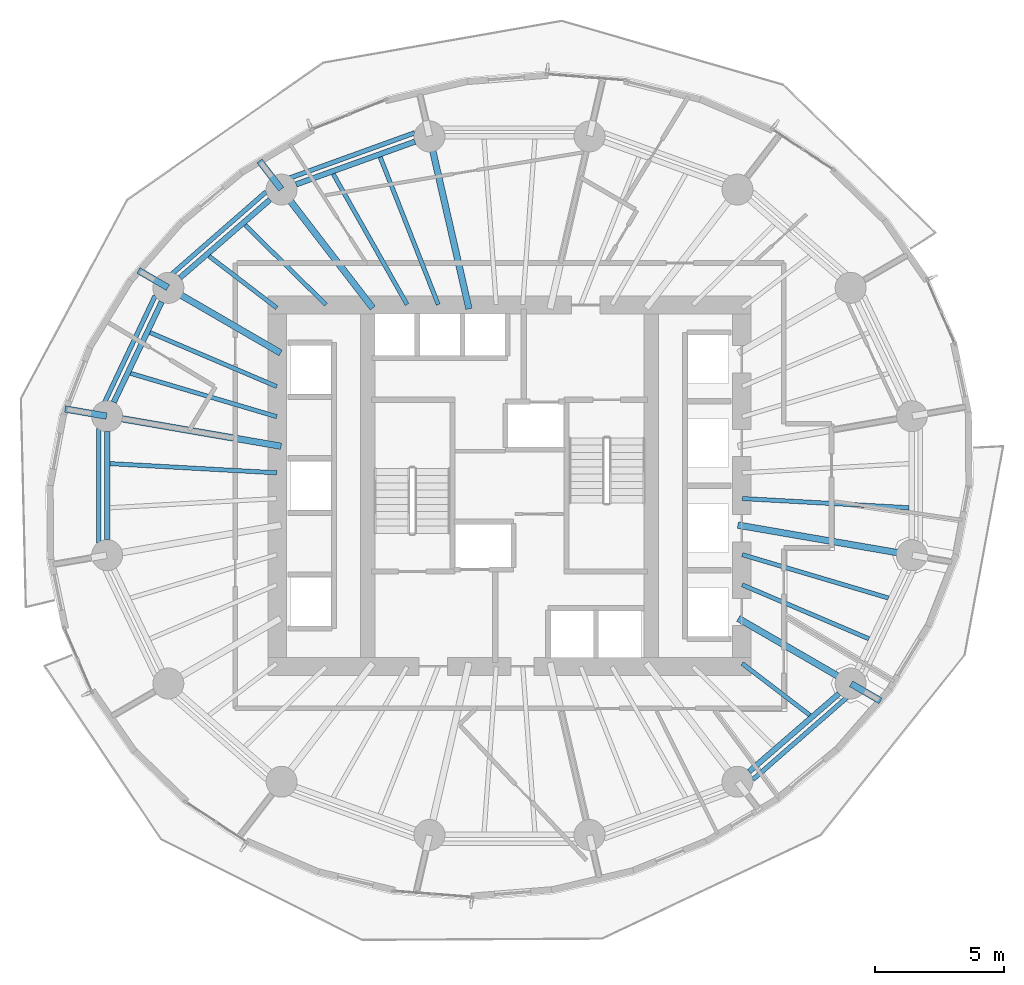
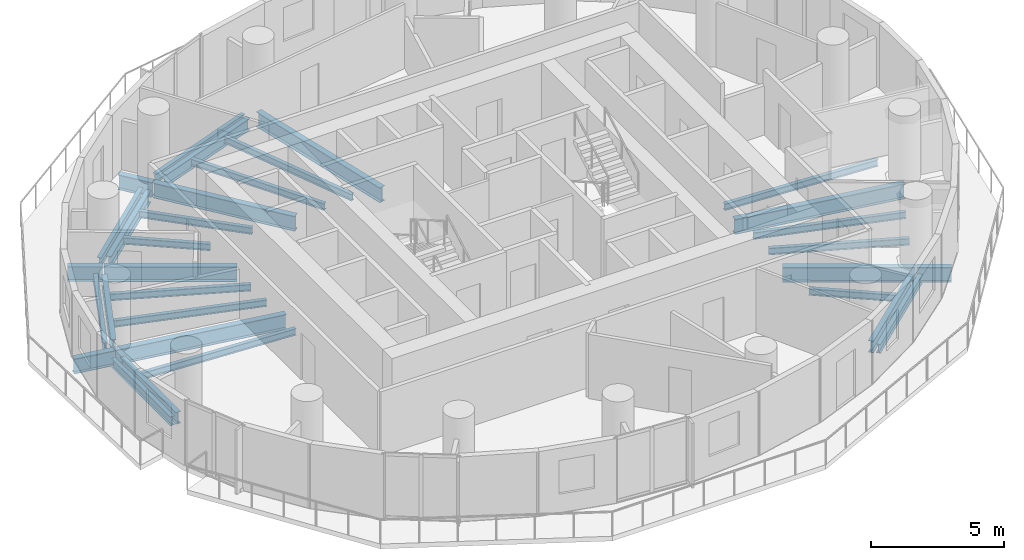
# One storey, part 3 of 14: 31 beams.
"""IFC4 building model written with IfcOpenShell, lengths in metres."""

from ifc_helpers import new_model, si_unit, direction, frame, origin, origin_2d, place, context, subcontext, project, spatial, i_section, extrude, material, material_profile, profile_set, type_object, element, save


model = new_model("IFC4")

# Units and contexts
model_context = context("Model", 3, precision=1e-05, world=origin(), true_north=direction((0.0, 1.0)))
body_context = subcontext(model_context, "Body", "Model", "MODEL_VIEW")
ifc_project = project(units=[si_unit("LENGTHUNIT", "METRE"), si_unit("AREAUNIT", "SQUARE_METRE"), si_unit("VOLUMEUNIT", "CUBIC_METRE"), si_unit("PLANEANGLEUNIT", "RADIAN"), si_unit("MASSUNIT", "GRAM", prefix="KILO")], contexts=[model_context])

# Site, building, storey
site_placement = place(None, origin())
site = spatial("IfcSite", under=ifc_project, at=site_placement, CompositionType="ELEMENT")
building_placement = place(site_placement, origin())
building = spatial("IfcBuilding", under=site, at=building_placement, Name="Veldorim Arch Residences", CompositionType="ELEMENT")
storey_placement = place(building_placement, frame((0.0, 0.0, 74.080078125)))
storey = spatial("IfcBuildingStorey", under=building, at=storey_placement, Name="L21", CompositionType="ELEMENT", Elevation=74.080078125)

# Beams
ifc_material_1 = material(Name="Steel S355", Category="steel")
ifc_material_profile_1 = material_profile(ifc_material_1, i_section(OverallWidth=0.2119140625, OverallDepth=0.54443359375, WebThickness=0.0126953125, FlangeThickness=0.021240234375, at=origin_2d()), Name="UB533x210x122")
ifc_profile_set_1 = profile_set([ifc_material_profile_1], Name="Steel S355")
beam_type_1 = type_object("IfcBeamType", Name="Structural Steel Beam UB533x210x122", PredefinedType="BEAM", material=ifc_profile_set_1)
beam_1_placement = place(storey_placement, frame((28.33349609375, 37.331787109375, -0.51220703125), z_axis=(-0.941041944493, -0.338289903343, 0.0), x_axis=(0.338289903343, -0.941041944493, 0.0)))
element("IfcBeam", 1, at=beam_1_placement, inside=storey, type_object=beam_type_1, Name="L21 perimeter ring tie beam 05", PredefinedType="BEAM", context=body_context, shape_type="SweptSolid", body=[
    extrude(i_section(OverallWidth=0.2119140625, OverallDepth=0.54443359375, WebThickness=0.0126953125, FlangeThickness=0.021240234375, at=origin_2d()), origin(), (0.0, 0.0, 1.0), 4.890869140625),
])
beam_2_placement = place(storey_placement, frame((22.71337890625, 35.0810546875, -0.51220703125), z_axis=(-0.755244952556, -0.655442645576, 0.0), x_axis=(0.655442645576, -0.755244952556, 0.0)))
element("IfcBeam", 2, at=beam_2_placement, inside=storey, type_object=beam_type_1, Name="L21 perimeter ring tie beam 06", PredefinedType="BEAM", context=body_context, shape_type="SweptSolid", body=[
    extrude(i_section(OverallWidth=0.2119140625, OverallDepth=0.54443359375, WebThickness=0.0126953125, FlangeThickness=0.021240234375, at=origin_2d()), origin(), (0.0, 0.0, 1.0), 4.608642578125),
])
beam_3_placement = place(storey_placement, frame((18.521240234375, 31.12548828125, -0.51220703125), z_axis=(-0.430720154476, -0.902485539235, 0.0), x_axis=(0.902485539235, -0.430720154476, 0.0)))
element("IfcBeam", 3, at=beam_3_placement, inside=storey, type_object=beam_type_1, Name="L21 perimeter ring tie beam 07", PredefinedType="BEAM", context=body_context, shape_type="SweptSolid", body=[
    extrude(i_section(OverallWidth=0.2119140625, OverallDepth=0.54443359375, WebThickness=0.0126953125, FlangeThickness=0.021240234375, at=origin_2d()), origin(), (0.0, 0.0, 1.0), 4.312255859375),
])
beam_4_placement = place(storey_placement, frame((16.405517578125, 26.09228515625, -0.51220703125), z_axis=(0.0, -1.0, 0.0), x_axis=(1.0, 0.0, 0.0)))
element("IfcBeam", 4, at=beam_4_placement, inside=storey, type_object=beam_type_1, Name="L21 perimeter ring tie beam 08", PredefinedType="BEAM", context=body_context, shape_type="SweptSolid", body=[
    extrude(i_section(OverallWidth=0.2119140625, OverallDepth=0.54443359375, WebThickness=0.0126953125, FlangeThickness=0.021240234375, at=origin_2d()), origin(), (0.0, 0.0, 1.0), 4.1845703125),
])
beam_5_placement = place(storey_placement, frame((41.28662109375, 12.9189453125, -0.51220703125), z_axis=(0.755244952556, 0.655442645576, 0.0), x_axis=(-0.655442645576, 0.755244952556, 0.0)))
element("IfcBeam", 5, at=beam_5_placement, inside=storey, type_object=beam_type_1, Name="L21 perimeter ring tie beam 14", PredefinedType="BEAM", context=body_context, shape_type="SweptSolid", body=[
    extrude(i_section(OverallWidth=0.2119140625, OverallDepth=0.54443359375, WebThickness=0.0126953125, FlangeThickness=0.021240234375, at=origin_2d()), origin(), (0.0, 0.0, 1.0), 4.608642578125),
])
ifc_material_2 = material(Name="Steel S355", Category="steel")
ifc_material_profile_2 = material_profile(ifc_material_2, i_section(OverallWidth=0.25439453125, OverallDepth=0.6875, WebThickness=0.01318359375, FlangeThickness=0.02099609375, at=origin_2d()), Name="UB686x254x152")
ifc_profile_set_2 = profile_set([ifc_material_profile_2], Name="Steel S355")
beam_type_2 = type_object("IfcBeamType", Name="Structural Steel GIRDER UB686x254x152", PredefinedType="USERDEFINED", material=ifc_profile_set_2)
beam_6_placement = place(storey_placement, frame((30.42919921875, 30.853759765625, -0.583740234375), z_axis=(-0.223374742148, 0.97473264261, 0.0), x_axis=(-0.97473264261, -0.223374742148, 0.0)))
element("IfcBeam", 6, at=beam_6_placement, inside=storey, type_object=beam_type_2, Name="L21 radial floor girder 05", ObjectType="GIRDER", PredefinedType="USERDEFINED", context=body_context, shape_type="SweptSolid", body=[
    extrude(i_section(OverallWidth=0.25439453125, OverallDepth=0.6875, WebThickness=0.01318359375, FlangeThickness=0.02099609375, at=origin_2d()), origin(), (0.0, 0.0, 1.0), 6.834228515625),
])
beam_7_placement = place(storey_placement, frame((26.702392578125, 30.881103515625, -0.583740234375), z_axis=(-0.609994628196, 0.792405548676, 0.0), x_axis=(-0.792405548676, -0.609994628196, 0.0)))
element("IfcBeam", 7, at=beam_7_placement, inside=storey, type_object=beam_type_2, Name="L21 radial floor girder 06", ObjectType="GIRDER", PredefinedType="USERDEFINED", context=body_context, shape_type="SweptSolid", body=[
    extrude(i_section(OverallWidth=0.25439453125, OverallDepth=0.6875, WebThickness=0.01318359375, FlangeThickness=0.02099609375, at=origin_2d()), origin(), (0.0, 0.0, 1.0), 5.776611328125),
])
beam_8_placement = place(storey_placement, frame((23.154296875, 35.489990234375, -0.583740234375), z_axis=(-0.609991800873, 0.792407725144, 0.0), x_axis=(-0.792407725144, -0.609991800873, 0.0)))
element("IfcBeam", 8, at=beam_8_placement, inside=storey, type_object=beam_type_2, Name="L21 radial edge cantilever girder 06", ObjectType="GIRDER", PredefinedType="USERDEFINED", context=body_context, shape_type="SweptSolid", body=[
    extrude(i_section(OverallWidth=0.25439453125, OverallDepth=0.6875, WebThickness=0.01318359375, FlangeThickness=0.02099609375, at=origin_2d()), origin(), (0.0, 0.0, 1.0), 1.38525390625),
])
beam_9_placement = place(storey_placement, frame((23.1298828125, 29.14404296875, -0.583740234375), z_axis=(-0.865048957682, 0.501687453314, 0.0), x_axis=(-0.501687453314, -0.865048957682, 0.0)))
element("IfcBeam", 9, at=beam_9_placement, inside=storey, type_object=beam_type_2, Name="L21 radial floor girder 07", ObjectType="GIRDER", PredefinedType="USERDEFINED", context=body_context, shape_type="SweptSolid", body=[
    extrude(i_section(OverallWidth=0.25439453125, OverallDepth=0.6875, WebThickness=0.01318359375, FlangeThickness=0.02099609375, at=origin_2d()), origin(), (0.0, 0.0, 1.0), 5.009033203125),
])
beam_10_placement = place(storey_placement, frame((18.76220703125, 31.677001953125, -0.583740234375), z_axis=(-0.865076091599, 0.501640663966, 0.0), x_axis=(-0.501640663966, -0.865076091599, 0.0)))
element("IfcBeam", 10, at=beam_10_placement, inside=storey, type_object=beam_type_2, Name="L21 radial edge cantilever girder 07", ObjectType="GIRDER", PredefinedType="USERDEFINED", context=body_context, shape_type="SweptSolid", body=[
    extrude(i_section(OverallWidth=0.25439453125, OverallDepth=0.6875, WebThickness=0.01318359375, FlangeThickness=0.02099609375, at=origin_2d()), origin(), (0.0, 0.0, 1.0), 1.3212890625),
])
beam_11_placement = place(storey_placement, frame((23.147705078125, 25.5283203125, -0.583740234375), z_axis=(-0.985426622718, 0.17010106184, 0.0), x_axis=(-0.17010106184, -0.985426622718, 0.0)))
element("IfcBeam", 11, at=beam_11_placement, inside=storey, type_object=beam_type_2, Name="L21 radial floor girder 08", ObjectType="GIRDER", PredefinedType="USERDEFINED", context=body_context, shape_type="SweptSolid", body=[
    extrude(i_section(OverallWidth=0.25439453125, OverallDepth=0.6875, WebThickness=0.01318359375, FlangeThickness=0.02099609375, at=origin_2d()), origin(), (0.0, 0.0, 1.0), 6.82177734375),
])
beam_12_placement = place(storey_placement, frame((16.3857421875, 26.695556640625, -0.583740234375), z_axis=(-0.985419516266, 0.170142225688, 0.0), x_axis=(-0.170142225688, -0.985419516266, 0.0)))
element("IfcBeam", 12, at=beam_12_placement, inside=storey, type_object=beam_type_2, Name="L21 radial edge cantilever girder 08", ObjectType="GIRDER", PredefinedType="USERDEFINED", context=body_context, shape_type="SweptSolid", body=[
    extrude(i_section(OverallWidth=0.25439453125, OverallDepth=0.6875, WebThickness=0.01318359375, FlangeThickness=0.02099609375, at=origin_2d()), origin(), (0.0, 0.0, 1.0), 1.633056640625),
])
beam_13_placement = place(storey_placement, frame((40.8701171875, 18.85595703125, -0.583740234375), z_axis=(0.865048957682, -0.501687453314, 0.0), x_axis=(0.501687453314, 0.865048957682, 0.0)))
element("IfcBeam", 13, at=beam_13_placement, inside=storey, type_object=beam_type_2, Name="L21 radial floor girder 15", ObjectType="GIRDER", PredefinedType="USERDEFINED", context=body_context, shape_type="SweptSolid", body=[
    extrude(i_section(OverallWidth=0.25439453125, OverallDepth=0.6875, WebThickness=0.01318359375, FlangeThickness=0.02099609375, at=origin_2d()), origin(), (0.0, 0.0, 1.0), 5.009033203125),
])
beam_14_placement = place(storey_placement, frame((45.23779296875, 16.322998046875, -0.583740234375), z_axis=(0.865076091599, -0.501640663966, 0.0), x_axis=(0.501640663966, 0.865076091599, 0.0)))
element("IfcBeam", 14, at=beam_14_placement, inside=storey, type_object=beam_type_2, Name="L21 radial edge cantilever girder 15", ObjectType="GIRDER", PredefinedType="USERDEFINED", context=body_context, shape_type="SweptSolid", body=[
    extrude(i_section(OverallWidth=0.25439453125, OverallDepth=0.6875, WebThickness=0.01318359375, FlangeThickness=0.02099609375, at=origin_2d()), origin(), (0.0, 0.0, 1.0), 1.3212890625),
])
beam_15_placement = place(storey_placement, frame((40.852294921875, 22.4716796875, -0.583740234375), z_axis=(0.985426622718, -0.17010106184, 0.0), x_axis=(0.17010106184, 0.985426622718, 0.0)))
element("IfcBeam", 15, at=beam_15_placement, inside=storey, type_object=beam_type_2, Name="L21 radial floor girder 16", ObjectType="GIRDER", PredefinedType="USERDEFINED", context=body_context, shape_type="SweptSolid", body=[
    extrude(i_section(OverallWidth=0.25439453125, OverallDepth=0.6875, WebThickness=0.01318359375, FlangeThickness=0.02099609375, at=origin_2d()), origin(), (0.0, 0.0, 1.0), 6.82177734375),
])
ifc_material_3 = material(Name="Steel S355", Category="steel")
ifc_material_profile_3 = material_profile(ifc_material_3, i_section(OverallWidth=0.165771484375, OverallDepth=0.306640625, WebThickness=0.006591796875, FlangeThickness=0.01171875, at=origin_2d()), Name="UB305x165x46")
ifc_profile_set_3 = profile_set([ifc_material_profile_3], Name="Steel S355")
beam_type_3 = type_object("IfcBeamType", Name="Structural Steel Joist UB305x165x46", PredefinedType="JOIST", material=ifc_profile_set_3)
beam_16_placement = place(storey_placement, frame((29.238037109375, 31.0185546875, -0.393310546875), z_axis=(-0.366194870364, 0.930538186707, 0.0), x_axis=(-0.930538186707, -0.366194870364, 0.0)))
element("IfcBeam", 16, at=beam_16_placement, inside=storey, type_object=beam_type_3, Name="L21 secondary radial floor joist 05-1", PredefinedType="JOIST", context=body_context, shape_type="SweptSolid", body=[
    extrude(i_section(OverallWidth=0.165771484375, OverallDepth=0.306640625, WebThickness=0.006591796875, FlangeThickness=0.01171875, at=origin_2d()), origin(), (0.0, 0.0, 1.0), 6.1396484375),
])
beam_17_placement = place(storey_placement, frame((28.03173828125, 31.017333984375, -0.393310546875), z_axis=(-0.492227411199, 0.870466642476, 0.0), x_axis=(-0.870466642476, -0.492227411199, 0.0)))
element("IfcBeam", 17, at=beam_17_placement, inside=storey, type_object=beam_type_3, Name="L21 secondary radial floor joist 05-2", PredefinedType="JOIST", context=body_context, shape_type="SweptSolid", body=[
    extrude(i_section(OverallWidth=0.165771484375, OverallDepth=0.306640625, WebThickness=0.006591796875, FlangeThickness=0.01171875, at=origin_2d()), origin(), (0.0, 0.0, 1.0), 5.81494140625),
])
beam_18_placement = place(storey_placement, frame((24.885986328125, 31.013916015625, -0.393310546875), z_axis=(-0.712111629941, 0.702066255066, 0.0), x_axis=(-0.702066255066, -0.712111629941, 0.0)))
element("IfcBeam", 18, at=beam_18_placement, inside=storey, type_object=beam_type_3, Name="L21 secondary radial floor joist 06-1", PredefinedType="JOIST", context=body_context, shape_type="SweptSolid", body=[
    extrude(i_section(OverallWidth=0.165771484375, OverallDepth=0.306640625, WebThickness=0.006591796875, FlangeThickness=0.01171875, at=origin_2d()), origin(), (0.0, 0.0, 1.0), 4.39892578125),
])
beam_19_placement = place(storey_placement, frame((22.984130859375, 30.888427734375, -0.393310546875), z_axis=(-0.794594763594, 0.60714014994, 0.0), x_axis=(-0.60714014994, -0.794594763594, 0.0)))
element("IfcBeam", 19, at=beam_19_placement, inside=storey, type_object=beam_type_3, Name="L21 secondary radial floor joist 06-2", PredefinedType="JOIST", context=body_context, shape_type="SweptSolid", body=[
    extrude(i_section(OverallWidth=0.165771484375, OverallDepth=0.306640625, WebThickness=0.006591796875, FlangeThickness=0.01171875, at=origin_2d()), origin(), (0.0, 0.0, 1.0), 3.30419921875),
])
beam_20_placement = place(storey_placement, frame((22.981689453125, 27.841552734375, -0.393310546875), z_axis=(-0.919997395122, 0.391924473552, 0.0), x_axis=(-0.391924473552, -0.919997395122, 0.0)))
element("IfcBeam", 20, at=beam_20_placement, inside=storey, type_object=beam_type_3, Name="L21 secondary radial floor joist 07-1", PredefinedType="JOIST", context=body_context, shape_type="SweptSolid", body=[
    extrude(i_section(OverallWidth=0.165771484375, OverallDepth=0.306640625, WebThickness=0.006591796875, FlangeThickness=0.01171875, at=origin_2d()), origin(), (0.0, 0.0, 1.0), 5.334716796875),
])
beam_21_placement = place(storey_placement, frame((22.980712890625, 26.673583984375, -0.393310546875), z_axis=(-0.958753061488, 0.284240333324, 0.0), x_axis=(-0.284240333324, -0.958753061488, 0.0)))
element("IfcBeam", 21, at=beam_21_placement, inside=storey, type_object=beam_type_3, Name="L21 secondary radial floor joist 07-2", PredefinedType="JOIST", context=body_context, shape_type="SweptSolid", body=[
    extrude(i_section(OverallWidth=0.165771484375, OverallDepth=0.306640625, WebThickness=0.006591796875, FlangeThickness=0.01171875, at=origin_2d()), origin(), (0.0, 0.0, 1.0), 5.906005859375),
])
beam_22_placement = place(storey_placement, frame((22.97998046875, 24.498291015625, -0.393310546875), z_axis=(-0.99847713097, 0.055167190702, 0.0), x_axis=(-0.055167190702, -0.99847713097, 0.0)))
element("IfcBeam", 22, at=beam_22_placement, inside=storey, type_object=beam_type_3, Name="L21 secondary radial floor joist 08-1", PredefinedType="JOIST", context=body_context, shape_type="SweptSolid", body=[
    extrude(i_section(OverallWidth=0.165771484375, OverallDepth=0.306640625, WebThickness=0.006591796875, FlangeThickness=0.01171875, at=origin_2d()), origin(), (0.0, 0.0, 1.0), 6.474365234375),
])
beam_23_placement = place(storey_placement, frame((41.015869140625, 17.111572265625, -0.393310546875), z_axis=(0.794594763594, -0.60714014994, 0.0), x_axis=(0.60714014994, 0.794594763594, 0.0)))
element("IfcBeam", 23, at=beam_23_placement, inside=storey, type_object=beam_type_3, Name="L21 secondary radial floor joist 14-2", PredefinedType="JOIST", context=body_context, shape_type="SweptSolid", body=[
    extrude(i_section(OverallWidth=0.165771484375, OverallDepth=0.306640625, WebThickness=0.006591796875, FlangeThickness=0.01171875, at=origin_2d()), origin(), (0.0, 0.0, 1.0), 3.30419921875),
])
beam_24_placement = place(storey_placement, frame((41.018310546875, 20.158447265625, -0.393310546875), z_axis=(0.919997395122, -0.391924473552, 0.0), x_axis=(0.391924473552, 0.919997395122, 0.0)))
element("IfcBeam", 24, at=beam_24_placement, inside=storey, type_object=beam_type_3, Name="L21 secondary radial floor joist 15-1", PredefinedType="JOIST", context=body_context, shape_type="SweptSolid", body=[
    extrude(i_section(OverallWidth=0.165771484375, OverallDepth=0.306640625, WebThickness=0.006591796875, FlangeThickness=0.01171875, at=origin_2d()), origin(), (0.0, 0.0, 1.0), 5.334716796875),
])
beam_25_placement = place(storey_placement, frame((41.019287109375, 21.326416015625, -0.393310546875), z_axis=(0.958753061488, -0.284240333324, 0.0), x_axis=(0.284240333324, 0.958753061488, 0.0)))
element("IfcBeam", 25, at=beam_25_placement, inside=storey, type_object=beam_type_3, Name="L21 secondary radial floor joist 15-2", PredefinedType="JOIST", context=body_context, shape_type="SweptSolid", body=[
    extrude(i_section(OverallWidth=0.165771484375, OverallDepth=0.306640625, WebThickness=0.006591796875, FlangeThickness=0.01171875, at=origin_2d()), origin(), (0.0, 0.0, 1.0), 5.906005859375),
])
beam_26_placement = place(storey_placement, frame((41.02001953125, 23.501708984375, -0.393310546875), z_axis=(0.99847713097, -0.055167190702, 0.0), x_axis=(0.055167190702, 0.99847713097, 0.0)))
element("IfcBeam", 26, at=beam_26_placement, inside=storey, type_object=beam_type_3, Name="L21 secondary radial floor joist 16-1", PredefinedType="JOIST", context=body_context, shape_type="SweptSolid", body=[
    extrude(i_section(OverallWidth=0.165771484375, OverallDepth=0.306640625, WebThickness=0.006591796875, FlangeThickness=0.01171875, at=origin_2d()), origin(), (0.0, 0.0, 1.0), 6.474365234375),
])
ifc_material_4 = material(Name="Steel S355", Category="steel")
ifc_material_profile_4 = material_profile(ifc_material_4, i_section(OverallWidth=0.1787109375, OverallDepth=0.409423828125, WebThickness=0.0087890625, FlangeThickness=0.014404296875, at=origin_2d()), Name="UB406x178x67")
ifc_profile_set_4 = profile_set([ifc_material_profile_4], Name="Steel S355")
beam_type_4 = type_object("IfcBeamType", Name="Structural Steel Spandrel UB406x178x67", PredefinedType="SPANDREL", material=ifc_profile_set_4)
beam_27_placement = place(storey_placement, frame((28.327880859375, 37.6767578125, -0.46484375), z_axis=(-0.940307501418, -0.340326024244, 0.0), x_axis=(0.340326024244, -0.940307501418, 0.0)))
element("IfcBeam", 27, at=beam_27_placement, inside=storey, type_object=beam_type_4, Name="L21 perimeter chord spandrel beam 05", PredefinedType="SPANDREL", context=body_context, shape_type="SweptSolid", body=[
    extrude(i_section(OverallWidth=0.1787109375, OverallDepth=0.409423828125, WebThickness=0.0087890625, FlangeThickness=0.014404296875, at=origin_2d()), origin(), (0.0, 0.0, 1.0), 5.175048828125),
])
beam_28_placement = place(storey_placement, frame((22.5673828125, 35.388427734375, -0.46484375), z_axis=(-0.753323239074, -0.65765043714, 0.0), x_axis=(0.65765043714, -0.753323239074, 0.0)))
element("IfcBeam", 28, at=beam_28_placement, inside=storey, type_object=beam_type_4, Name="L21 perimeter chord spandrel beam 06", PredefinedType="SPANDREL", context=body_context, shape_type="SweptSolid", body=[
    extrude(i_section(OverallWidth=0.1787109375, OverallDepth=0.409423828125, WebThickness=0.0087890625, FlangeThickness=0.014404296875, at=origin_2d()), origin(), (0.0, 0.0, 1.0), 4.879150390625),
])
beam_29_placement = place(storey_placement, frame((18.267578125, 31.35546875, -0.46484375), z_axis=(-0.428857472204, -0.903372165021, 0.0), x_axis=(0.903372165021, -0.428857472204, 0.0)))
element("IfcBeam", 29, at=beam_29_placement, inside=storey, type_object=beam_type_4, Name="L21 perimeter chord spandrel beam 07", PredefinedType="SPANDREL", context=body_context, shape_type="SweptSolid", body=[
    extrude(i_section(OverallWidth=0.1787109375, OverallDepth=0.409423828125, WebThickness=0.0087890625, FlangeThickness=0.014404296875, at=origin_2d()), origin(), (0.0, 0.0, 1.0), 4.572021484375),
])
beam_30_placement = place(storey_placement, frame((16.080322265625, 26.22021484375, -0.46484375), z_axis=(0.0, -1.0, 0.0), x_axis=(1.0, 0.0, 0.0)))
element("IfcBeam", 30, at=beam_30_placement, inside=storey, type_object=beam_type_4, Name="L21 perimeter chord spandrel beam 08", PredefinedType="SPANDREL", context=body_context, shape_type="SweptSolid", body=[
    extrude(i_section(OverallWidth=0.1787109375, OverallDepth=0.409423828125, WebThickness=0.0087890625, FlangeThickness=0.014404296875, at=origin_2d()), origin(), (0.0, 0.0, 1.0), 4.4404296875),
])
beam_31_placement = place(storey_placement, frame((41.4326171875, 12.611572265625, -0.46484375), z_axis=(0.753323239074, 0.65765043714, 0.0), x_axis=(-0.65765043714, 0.753323239074, 0.0)))
element("IfcBeam", 31, at=beam_31_placement, inside=storey, type_object=beam_type_4, Name="L21 perimeter chord spandrel beam 14", PredefinedType="SPANDREL", context=body_context, shape_type="SweptSolid", body=[
    extrude(i_section(OverallWidth=0.1787109375, OverallDepth=0.409423828125, WebThickness=0.0087890625, FlangeThickness=0.014404296875, at=origin_2d()), origin(), (0.0, 0.0, 1.0), 4.879150390625),
])

save(model, "model.ifc")
